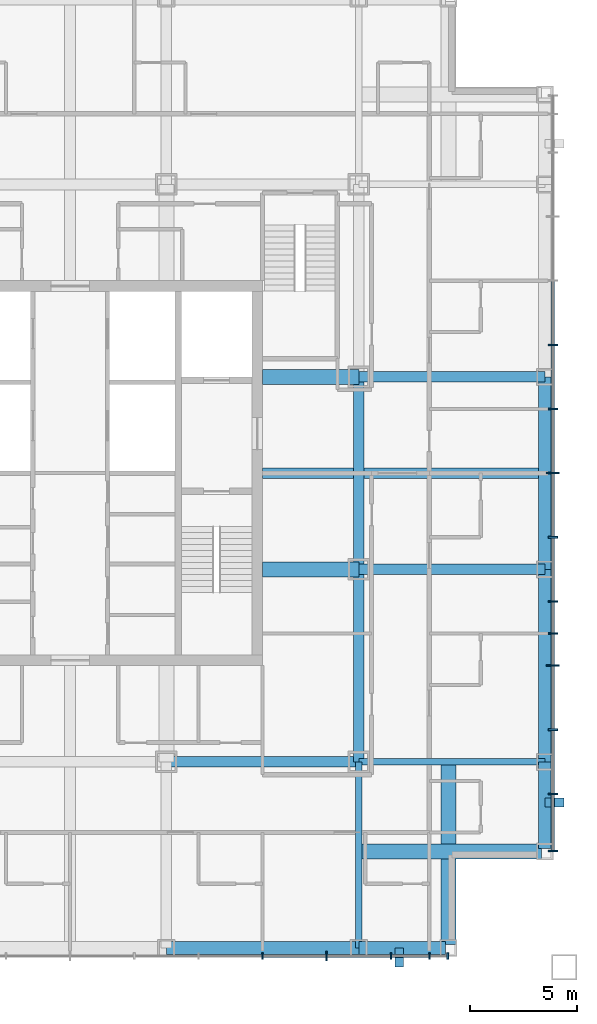
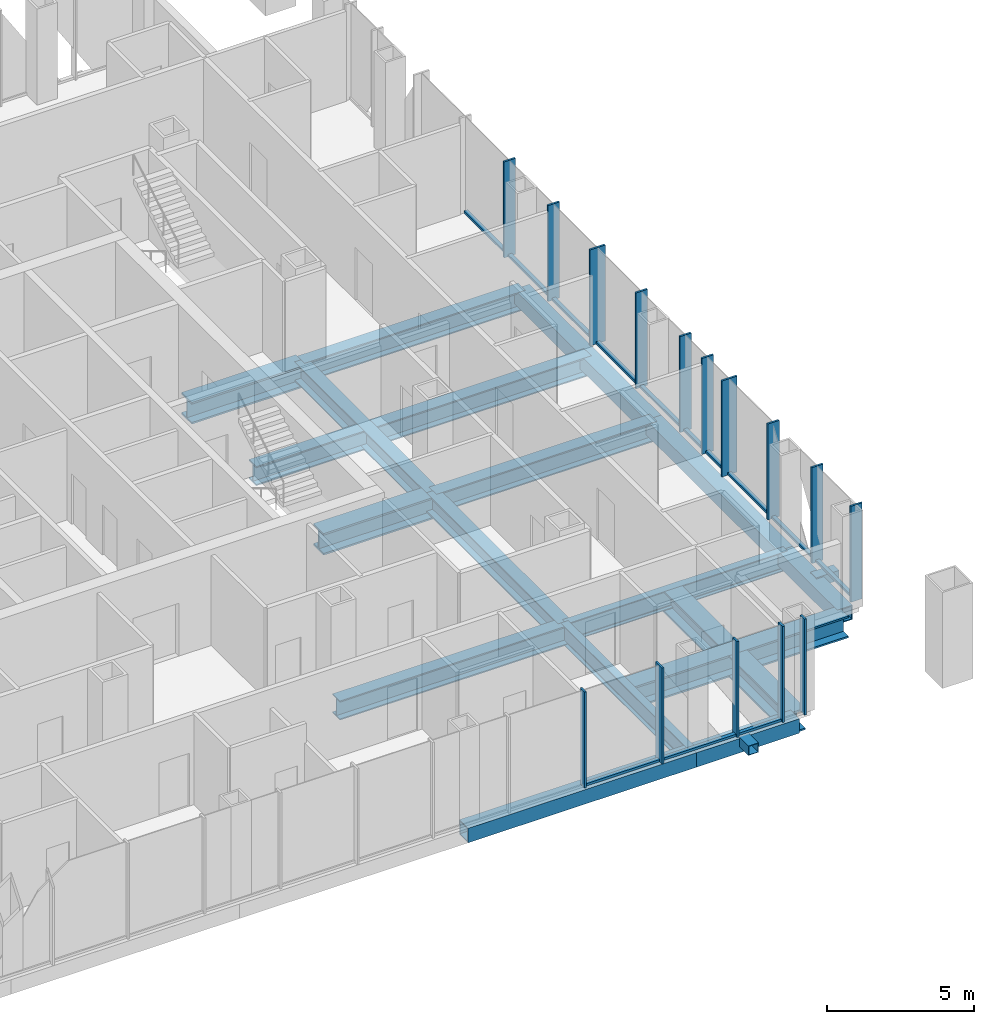
# One storey, part 3 of 12: 30 members, 17 beams, 2 elements without a shape of their own.
"""IFC4 building model written with IfcOpenShell, lengths in metres."""

from ifc_helpers import new_model, si_unit, direction, frame, origin, origin_2d, place, context, subcontext, project, spatial, rectangle, hollow_rectangle, i_section, extrude, material, layer, layer_set, material_profile, profile_set, type_object, element, aggregate, save


model = new_model("IFC4")

# Units and contexts
model_context = context("Model", 3, precision=1e-05, world=origin(), true_north=direction((0.0, 1.0)))
body_context = subcontext(model_context, "Body", "Model", "MODEL_VIEW")
ifc_project = project(units=[si_unit("LENGTHUNIT", "METRE"), si_unit("AREAUNIT", "SQUARE_METRE"), si_unit("VOLUMEUNIT", "CUBIC_METRE"), si_unit("PLANEANGLEUNIT", "RADIAN"), si_unit("MASSUNIT", "GRAM", prefix="KILO")], contexts=[model_context])

# Site, building, storey
site_placement = place(None, origin())
site = spatial("IfcSite", under=ifc_project, at=site_placement, CompositionType="ELEMENT")
building_placement = place(site_placement, origin())
building = spatial("IfcBuilding", under=site, at=building_placement, Name="Malebo Sky Hospital", CompositionType="ELEMENT")
storey_placement = place(building_placement, frame((0.0, 0.0, 221.0)))
storey = spatial("IfcBuildingStorey", under=building, at=storey_placement, Name="L53", CompositionType="ELEMENT", Elevation=221.0)

# Curtain wall, members
ifc_material_1 = material(Name="Anodised aluminium, natural silver", Category="aluminium")
ifc_layer_1 = layer(ifc_material_1, 0.25)
ifc_layer_set_1 = layer_set([ifc_layer_1], Name="WARD CURTAIN WALL NORTH AND SOUTH")
curtain_wall_type_1 = type_object("IfcCurtainWallType", Name="WARD CURTAIN WALL NORTH AND SOUTH", PredefinedType="NOTDEFINED", material=ifc_layer_set_1)
curtain_wall_1_placement = place(storey_placement, origin())
curtain_wall_1 = element("IfcCurtainWall", 1, at=curtain_wall_1_placement, inside=storey, type_object=curtain_wall_type_1, Name="NS curtain wall S", PredefinedType="NOTDEFINED")
ifc_material_profile_1 = material_profile(ifc_material_1, rectangle(XDim=0.14990234375, YDim=0.10009765625, at=origin_2d()), Name="ALUMINIUM TRANSOM 150x100")
ifc_profile_set_1 = profile_set([ifc_material_profile_1], Name="Anodised aluminium, natural silver")
member_type_1 = type_object("IfcMemberType", Name="ALUMINIUM TRANSOM 150x100", PredefinedType="USERDEFINED", material=ifc_profile_set_1)
member_1_placement = place(storey_placement, frame((76.762451171875, 39.425048828125, 0.050048828125), z_axis=(-1.0, 0.0, 0.0), x_axis=(0.0, -1.0, 0.0)))
member_1 = element("IfcMember", 2, at=member_1_placement, type_object=member_type_1, Name="Transom 2", ObjectType="TRANSOM", PredefinedType="USERDEFINED", context=body_context, shape_type="SweptSolid", body=[
    extrude(rectangle(XDim=0.14990234375, YDim=0.10009765625, at=origin_2d()), origin(), (0.0, 0.0, 1.0), 1.724853515625),
])
member_2_placement = place(storey_placement, frame((74.96240234375, 39.425048828125, 0.050048828125), z_axis=(-1.0, 0.0, 0.0), x_axis=(0.0, -1.0, 0.0)))
member_2 = element("IfcMember", 3, at=member_2_placement, type_object=member_type_1, Name="Transom 3", ObjectType="TRANSOM", PredefinedType="USERDEFINED", context=body_context, shape_type="SweptSolid", body=[
    extrude(rectangle(XDim=0.14990234375, YDim=0.10009765625, at=origin_2d()), origin(), (0.0, 0.0, 1.0), 2.9248046875),
])
member_3_placement = place(storey_placement, frame((71.96240234375, 39.425048828125, 0.050048828125), z_axis=(-1.0, 0.0, 0.0), x_axis=(0.0, -1.0, 0.0)))
member_3 = element("IfcMember", 4, at=member_3_placement, type_object=member_type_1, Name="Transom 4", ObjectType="TRANSOM", PredefinedType="USERDEFINED", context=body_context, shape_type="SweptSolid", body=[
    extrude(rectangle(XDim=0.14990234375, YDim=0.10009765625, at=origin_2d()), origin(), (0.0, 0.0, 1.0), 2.9248046875),
])

ifc_layer_2 = layer(ifc_material_1, 0.25)
ifc_layer_set_2 = layer_set([ifc_layer_2], Name="WARD CURTAIN WALL EAST AND WEST")
curtain_wall_type_2 = type_object("IfcCurtainWallType", Name="WARD CURTAIN WALL EAST AND WEST", PredefinedType="NOTDEFINED", material=ifc_layer_set_2)
curtain_wall_2_placement = place(storey_placement, origin())
curtain_wall_2 = element("IfcCurtainWall", 5, at=curtain_wall_2_placement, inside=storey, type_object=curtain_wall_type_2, Name="EW curtain wall E", PredefinedType="NOTDEFINED")
member_4_placement = place(storey_placement, frame((82.574951171875, 70.96240234375, 0.050048828125), z_axis=(0.0, -1.0, 0.0), x_axis=(1.0, 0.0, 0.0)))
member_4 = element("IfcMember", 6, at=member_4_placement, type_object=member_type_1, Name="Transom 5", ObjectType="TRANSOM", PredefinedType="USERDEFINED", context=body_context, shape_type="SweptSolid", body=[
    extrude(rectangle(XDim=0.14990234375, YDim=0.10009765625, at=origin_2d()), origin(), (0.0, 0.0, 1.0), 2.9248046875),
])
member_5_placement = place(storey_placement, frame((82.574951171875, 67.96240234375, 0.050048828125), z_axis=(0.0, -1.0, 0.0), x_axis=(1.0, 0.0, 0.0)))
member_5 = element("IfcMember", 7, at=member_5_placement, type_object=member_type_1, Name="Transom 6", ObjectType="TRANSOM", PredefinedType="USERDEFINED", context=body_context, shape_type="SweptSolid", body=[
    extrude(rectangle(XDim=0.14990234375, YDim=0.10009765625, at=origin_2d()), origin(), (0.0, 0.0, 1.0), 2.9248046875),
])
member_6_placement = place(storey_placement, frame((82.574951171875, 64.96240234375, 0.050048828125), z_axis=(0.0, -1.0, 0.0), x_axis=(1.0, 0.0, 0.0)))
member_6 = element("IfcMember", 8, at=member_6_placement, type_object=member_type_1, Name="Transom 7", ObjectType="TRANSOM", PredefinedType="USERDEFINED", context=body_context, shape_type="SweptSolid", body=[
    extrude(rectangle(XDim=0.14990234375, YDim=0.10009765625, at=origin_2d()), origin(), (0.0, 0.0, 1.0), 2.9248046875),
])
member_7_placement = place(storey_placement, frame((82.574951171875, 61.96240234375, 0.050048828125), z_axis=(0.0, -1.0, 0.0), x_axis=(1.0, 0.0, 0.0)))
member_7 = element("IfcMember", 9, at=member_7_placement, type_object=member_type_1, Name="Transom 8", ObjectType="TRANSOM", PredefinedType="USERDEFINED", context=body_context, shape_type="SweptSolid", body=[
    extrude(rectangle(XDim=0.14990234375, YDim=0.10009765625, at=origin_2d()), origin(), (0.0, 0.0, 1.0), 2.9248046875),
])
member_8_placement = place(storey_placement, frame((82.574951171875, 58.96240234375, 0.050048828125), z_axis=(0.0, -1.0, 0.0), x_axis=(1.0, 0.0, 0.0)))
member_8 = element("IfcMember", 10, at=member_8_placement, type_object=member_type_1, Name="Transom 9", ObjectType="TRANSOM", PredefinedType="USERDEFINED", context=body_context, shape_type="SweptSolid", body=[
    extrude(rectangle(XDim=0.14990234375, YDim=0.10009765625, at=origin_2d()), origin(), (0.0, 0.0, 1.0), 2.9248046875),
])
member_9_placement = place(storey_placement, frame((82.574951171875, 55.96240234375, 0.050048828125), z_axis=(0.0, -1.0, 0.0), x_axis=(1.0, 0.0, 0.0)))
member_9 = element("IfcMember", 11, at=member_9_placement, type_object=member_type_1, Name="Transom 10", ObjectType="TRANSOM", PredefinedType="USERDEFINED", context=body_context, shape_type="SweptSolid", body=[
    extrude(rectangle(XDim=0.14990234375, YDim=0.10009765625, at=origin_2d()), origin(), (0.0, 0.0, 1.0), 1.4248046875),
])
member_10_placement = place(storey_placement, frame((82.574951171875, 54.46240234375, 0.050048828125), z_axis=(0.0, -1.0, 0.0), x_axis=(1.0, 0.0, 0.0)))
member_10 = element("IfcMember", 12, at=member_10_placement, type_object=member_type_1, Name="Transom 11", ObjectType="TRANSOM", PredefinedType="USERDEFINED", context=body_context, shape_type="SweptSolid", body=[
    extrude(rectangle(XDim=0.14990234375, YDim=0.10009765625, at=origin_2d()), origin(), (0.0, 0.0, 1.0), 1.4248046875),
])
member_11_placement = place(storey_placement, frame((82.574951171875, 52.96240234375, 0.050048828125), z_axis=(0.0, -1.0, 0.0), x_axis=(1.0, 0.0, 0.0)))
member_11 = element("IfcMember", 13, at=member_11_placement, type_object=member_type_1, Name="Transom 12", ObjectType="TRANSOM", PredefinedType="USERDEFINED", context=body_context, shape_type="SweptSolid", body=[
    extrude(rectangle(XDim=0.14990234375, YDim=0.10009765625, at=origin_2d()), origin(), (0.0, 0.0, 1.0), 2.9248046875),
])
member_12_placement = place(storey_placement, frame((82.574951171875, 49.96240234375, 0.050048828125), z_axis=(0.0, -1.0, 0.0), x_axis=(1.0, 0.0, 0.0)))
member_12 = element("IfcMember", 14, at=member_12_placement, type_object=member_type_1, Name="Transom 13", ObjectType="TRANSOM", PredefinedType="USERDEFINED", context=body_context, shape_type="SweptSolid", body=[
    extrude(rectangle(XDim=0.14990234375, YDim=0.10009765625, at=origin_2d()), origin(), (0.0, 0.0, 1.0), 2.9248046875),
])
member_13_placement = place(storey_placement, frame((82.574951171875, 46.96240234375, 0.050048828125), z_axis=(0.0, -1.0, 0.0), x_axis=(1.0, 0.0, 0.0)))
member_13 = element("IfcMember", 15, at=member_13_placement, type_object=member_type_1, Name="Transom 14", ObjectType="TRANSOM", PredefinedType="USERDEFINED", context=body_context, shape_type="SweptSolid", body=[
    extrude(rectangle(XDim=0.14990234375, YDim=0.10009765625, at=origin_2d()), origin(), (0.0, 0.0, 1.0), 2.58740234375),
])

# Members
ifc_material_2 = material(Name="Steel S355", Category="steel")
ifc_material_profile_2 = material_profile(ifc_material_2, hollow_rectangle(XDim=0.39990234375, YDim=0.39990234375, WallThickness=0.02001953125, at=origin_2d()), Name="SHS 400x20")
ifc_profile_set_2 = profile_set([ifc_material_profile_2], Name="Steel S355")
member_type_2 = type_object("IfcMemberType", Name="BRACE STRUT SHS 400x20", PredefinedType="STRUT", material=ifc_profile_set_2)
for number, where, z_axis, x_axis, name in (
    (16, (75.39990234375, 38.89990234375, -0.39990234375), (0.0, 1.0, 0.0), (-1.0, 0.0, 0.0), "Brace strut CS2 L53"),
    (17, (83.10009765625, 46.60009765625, -0.39990234375), (-1.0, 0.0, 0.0), (0.0, -1.0, 0.0), "Brace strut CE1 L53"),
):
    element("IfcMember", number, at=place(storey_placement, frame(where, z_axis=z_axis, x_axis=x_axis)), inside=storey, type_object=member_type_2, Name=name, PredefinedType="STRUT", context=body_context, shape_type="SweptSolid", body=[
        extrude(hollow_rectangle(XDim=0.39990234375, YDim=0.39990234375, WallThickness=0.02001953125, at=origin_2d()), origin(), (0.0, 0.0, 1.0), 0.900146484375),
    ])

# Member
ifc_material_profile_3 = material_profile(ifc_material_1, rectangle(XDim=0.074951171875, YDim=0.300048828125, at=origin_2d()), Name="CW1 ALUMINIUM FIN MULLION 75x300")
ifc_profile_set_3 = profile_set([ifc_material_profile_3], Name="Anodised aluminium, natural silver")
member_type_3 = type_object("IfcMemberType", Name="CW1 ALUMINIUM FIN MULLION 75x300", PredefinedType="MULLION", material=ifc_profile_set_3)
member_14_placement = place(storey_placement, frame((77.66259765625, 39.425048828125, 0.0), z_axis=(0.0, 0.0, 1.0), x_axis=(-1.0, 0.0, 0.0)))
member_14 = element("IfcMember", 18, at=member_14_placement, type_object=member_type_3, Name="Fin mullion 1", PredefinedType="MULLION", context=body_context, shape_type="SweptSolid", body=[
    extrude(rectangle(XDim=0.074951171875, YDim=0.300048828125, at=origin_2d()), origin(), (0.0, 0.0, 1.0), 4.0),
])

member_15_placement = place(storey_placement, frame((76.800048828125, 39.425048828125, 0.0), z_axis=(0.0, 0.0, 1.0), x_axis=(-1.0, 0.0, 0.0)))
member_15 = element("IfcMember", 19, at=member_15_placement, type_object=member_type_3, Name="Fin mullion 2", PredefinedType="MULLION", context=body_context, shape_type="SweptSolid", body=[
    extrude(rectangle(XDim=0.074951171875, YDim=0.300048828125, at=origin_2d()), origin(), (0.0, 0.0, 1.0), 4.0),
])

member_16_placement = place(storey_placement, frame((75.0, 39.425048828125, 0.0), z_axis=(0.0, 0.0, 1.0), x_axis=(-1.0, 0.0, 0.0)))
member_16 = element("IfcMember", 20, at=member_16_placement, type_object=member_type_3, Name="Fin mullion 3", PredefinedType="MULLION", context=body_context, shape_type="SweptSolid", body=[
    extrude(rectangle(XDim=0.074951171875, YDim=0.300048828125, at=origin_2d()), origin(), (0.0, 0.0, 1.0), 4.0),
])

member_17_placement = place(storey_placement, frame((69.0, 39.425048828125, 0.0), z_axis=(0.0, 0.0, 1.0), x_axis=(-1.0, 0.0, 0.0)))
member_17 = element("IfcMember", 21, at=member_17_placement, type_object=member_type_3, Name="Fin mullion 5", PredefinedType="MULLION", context=body_context, shape_type="SweptSolid", body=[
    extrude(rectangle(XDim=0.074951171875, YDim=0.300048828125, at=origin_2d()), origin(), (0.0, 0.0, 1.0), 4.0),
])

ifc_material_profile_4 = material_profile(ifc_material_1, rectangle(XDim=0.074951171875, YDim=0.449951171875, at=origin_2d()), Name="CW1 ALUMINIUM FIN MULLION 75x450")
ifc_profile_set_4 = profile_set([ifc_material_profile_4], Name="Anodised aluminium, natural silver")
member_type_4 = type_object("IfcMemberType", Name="CW1 ALUMINIUM FIN MULLION 75x450", PredefinedType="MULLION", material=ifc_profile_set_4)
member_18_placement = place(storey_placement, frame((72.0, 39.425048828125, 0.0), z_axis=(0.0, 0.0, 1.0), x_axis=(-1.0, 0.0, 0.0)))
member_18 = element("IfcMember", 22, at=member_18_placement, type_object=member_type_4, Name="Fin mullion 4", PredefinedType="MULLION", context=body_context, shape_type="SweptSolid", body=[
    extrude(rectangle(XDim=0.074951171875, YDim=0.449951171875, at=origin_2d()), origin(), (0.0, 0.0, 1.0), 4.0),
])

aggregate(curtain_wall_1, [member_14, member_15, member_16, member_18, member_17, member_1, member_2, member_3])

ifc_material_profile_5 = material_profile(ifc_material_1, rectangle(XDim=0.074951171875, YDim=0.449951171875, at=origin_2d()), Name="CW2 ALUMINIUM FIN MULLION 75x450")
ifc_profile_set_5 = profile_set([ifc_material_profile_5], Name="Anodised aluminium, natural silver")
member_type_5 = type_object("IfcMemberType", Name="CW2 ALUMINIUM FIN MULLION 75x450", PredefinedType="MULLION", material=ifc_profile_set_5)
member_19_placement = place(storey_placement, frame((82.574951171875, 68.0, 0.0), z_axis=(0.0, 0.0, 1.0), x_axis=(0.0, -1.0, 0.0)))
member_19 = element("IfcMember", 23, at=member_19_placement, type_object=member_type_5, Name="Fin mullion 6", PredefinedType="MULLION", context=body_context, shape_type="SweptSolid", body=[
    extrude(rectangle(XDim=0.074951171875, YDim=0.449951171875, at=origin_2d()), origin(), (0.0, 0.0, 1.0), 4.0),
])

member_20_placement = place(storey_placement, frame((82.574951171875, 65.0, 0.0), z_axis=(0.0, 0.0, 1.0), x_axis=(0.0, -1.0, 0.0)))
member_20 = element("IfcMember", 24, at=member_20_placement, type_object=member_type_5, Name="Fin mullion 7", PredefinedType="MULLION", context=body_context, shape_type="SweptSolid", body=[
    extrude(rectangle(XDim=0.074951171875, YDim=0.449951171875, at=origin_2d()), origin(), (0.0, 0.0, 1.0), 4.0),
])

member_21_placement = place(storey_placement, frame((82.574951171875, 59.0, 0.0), z_axis=(0.0, 0.0, 1.0), x_axis=(0.0, -1.0, 0.0)))
member_21 = element("IfcMember", 25, at=member_21_placement, type_object=member_type_5, Name="Fin mullion 9", PredefinedType="MULLION", context=body_context, shape_type="SweptSolid", body=[
    extrude(rectangle(XDim=0.074951171875, YDim=0.449951171875, at=origin_2d()), origin(), (0.0, 0.0, 1.0), 4.0),
])

member_22_placement = place(storey_placement, frame((82.574951171875, 56.0, 0.0), z_axis=(0.0, 0.0, 1.0), x_axis=(0.0, -1.0, 0.0)))
member_22 = element("IfcMember", 26, at=member_22_placement, type_object=member_type_5, Name="Fin mullion 10", PredefinedType="MULLION", context=body_context, shape_type="SweptSolid", body=[
    extrude(rectangle(XDim=0.074951171875, YDim=0.449951171875, at=origin_2d()), origin(), (0.0, 0.0, 1.0), 4.0),
])

member_23_placement = place(storey_placement, frame((82.574951171875, 54.5, 0.0), z_axis=(0.0, 0.0, 1.0), x_axis=(0.0, -1.0, 0.0)))
member_23 = element("IfcMember", 27, at=member_23_placement, type_object=member_type_5, Name="Fin mullion 11", PredefinedType="MULLION", context=body_context, shape_type="SweptSolid", body=[
    extrude(rectangle(XDim=0.074951171875, YDim=0.449951171875, at=origin_2d()), origin(), (0.0, 0.0, 1.0), 4.0),
])

member_24_placement = place(storey_placement, frame((82.574951171875, 50.0, 0.0), z_axis=(0.0, 0.0, 1.0), x_axis=(0.0, -1.0, 0.0)))
member_24 = element("IfcMember", 28, at=member_24_placement, type_object=member_type_5, Name="Fin mullion 13", PredefinedType="MULLION", context=body_context, shape_type="SweptSolid", body=[
    extrude(rectangle(XDim=0.074951171875, YDim=0.449951171875, at=origin_2d()), origin(), (0.0, 0.0, 1.0), 4.0),
])

member_25_placement = place(storey_placement, frame((82.574951171875, 47.0, 0.0), z_axis=(0.0, 0.0, 1.0), x_axis=(0.0, -1.0, 0.0)))
member_25 = element("IfcMember", 29, at=member_25_placement, type_object=member_type_5, Name="Fin mullion 14", PredefinedType="MULLION", context=body_context, shape_type="SweptSolid", body=[
    extrude(rectangle(XDim=0.074951171875, YDim=0.449951171875, at=origin_2d()), origin(), (0.0, 0.0, 1.0), 4.0),
])

member_26_placement = place(storey_placement, frame((82.574951171875, 44.33740234375, 0.0), z_axis=(0.0, 0.0, 1.0), x_axis=(0.0, -1.0, 0.0)))
member_26 = element("IfcMember", 30, at=member_26_placement, type_object=member_type_5, Name="Fin mullion 15", PredefinedType="MULLION", context=body_context, shape_type="SweptSolid", body=[
    extrude(rectangle(XDim=0.074951171875, YDim=0.449951171875, at=origin_2d()), origin(), (0.0, 0.0, 1.0), 4.0),
])

ifc_material_profile_6 = material_profile(ifc_material_1, rectangle(XDim=0.074951171875, YDim=0.60009765625, at=origin_2d()), Name="CW2 ALUMINIUM FIN MULLION 75x600")
ifc_profile_set_6 = profile_set([ifc_material_profile_6], Name="Anodised aluminium, natural silver")
member_type_6 = type_object("IfcMemberType", Name="CW2 ALUMINIUM FIN MULLION 75x600", PredefinedType="MULLION", material=ifc_profile_set_6)
member_27_placement = place(storey_placement, frame((82.574951171875, 62.0, 0.0), z_axis=(0.0, 0.0, 1.0), x_axis=(0.0, -1.0, 0.0)))
member_27 = element("IfcMember", 31, at=member_27_placement, type_object=member_type_6, Name="Fin mullion 8", PredefinedType="MULLION", context=body_context, shape_type="SweptSolid", body=[
    extrude(rectangle(XDim=0.074951171875, YDim=0.60009765625, at=origin_2d()), origin(), (0.0, 0.0, 1.0), 4.0),
])

member_28_placement = place(storey_placement, frame((82.574951171875, 53.0, 0.0), z_axis=(0.0, 0.0, 1.0), x_axis=(0.0, -1.0, 0.0)))
member_28 = element("IfcMember", 32, at=member_28_placement, type_object=member_type_6, Name="Fin mullion 12", PredefinedType="MULLION", context=body_context, shape_type="SweptSolid", body=[
    extrude(rectangle(XDim=0.074951171875, YDim=0.60009765625, at=origin_2d()), origin(), (0.0, 0.0, 1.0), 4.0),
])

aggregate(curtain_wall_2, [member_19, member_20, member_27, member_21, member_22, member_23, member_28, member_24, member_25, member_26, member_4, member_5, member_6, member_7, member_8, member_9, member_10, member_11, member_12, member_13])

# Beams
ifc_material_3 = material(Name="Steel S460", Category="steel")
ifc_material_profile_7 = material_profile(ifc_material_3, hollow_rectangle(XDim=0.60009765625, YDim=0.60009765625, WallThickness=0.0400390625, at=origin_2d()), Name="BOX 600x600x40")
ifc_profile_set_7 = profile_set([ifc_material_profile_7], Name="Steel S460")
beam_type_1 = type_object("IfcBeamType", Name="EDGE BEAM BOX 600x600x40", PredefinedType="BEAM", material=ifc_profile_set_7)
beam_1_placement = place(storey_placement, frame((82.199951171875, 44.449951171875, -0.550048828125), z_axis=(0.0, 1.0, 0.0), x_axis=(-1.0, 0.0, 0.0)))
element("IfcBeam", 33, at=beam_1_placement, inside=storey, type_object=beam_type_1, Name="Beam 029 L53", PredefinedType="BEAM", context=body_context, shape_type="SweptSolid", body=[
    extrude(hollow_rectangle(XDim=0.60009765625, YDim=0.60009765625, WallThickness=0.0400390625, at=origin_2d()), origin(), (0.0, 0.0, 1.0), 4.050048828125),
])
for number, where, z_axis, x_axis, name in (
    (34, (82.199951171875, 48.5, -0.550048828125), (0.0, 1.0, 0.0), (-1.0, 0.0, 0.0), "Beam 030 L53"),
    (35, (82.199951171875, 57.5, -0.550048828125), (0.0, 1.0, 0.0), (-1.0, 0.0, 0.0), "Beam 031 L53"),
    (36, (64.5, 39.800048828125, -0.550048828125), (1.0, 0.0, 0.0), (0.0, 1.0, 0.0), "Beam 037 L53"),
):
    element("IfcBeam", number, at=place(storey_placement, frame(where, z_axis=z_axis, x_axis=x_axis)), inside=storey, type_object=beam_type_1, Name=name, PredefinedType="BEAM", context=body_context, shape_type="SweptSolid", body=[
        extrude(hollow_rectangle(XDim=0.60009765625, YDim=0.60009765625, WallThickness=0.0400390625, at=origin_2d()), origin(), (0.0, 0.0, 1.0), 9.0),
    ])
beam_2_placement = place(storey_placement, frame((73.5, 39.800048828125, -0.550048828125), z_axis=(1.0, 0.0, 0.0), x_axis=(0.0, 1.0, 0.0)))
element("IfcBeam", 37, at=beam_2_placement, inside=storey, type_object=beam_type_1, Name="Beam 038 L53", PredefinedType="BEAM", context=body_context, shape_type="SweptSolid", body=[
    extrude(hollow_rectangle(XDim=0.60009765625, YDim=0.60009765625, WallThickness=0.0400390625, at=origin_2d()), origin(), (0.0, 0.0, 1.0), 4.050048828125),
])
ifc_material_profile_8 = material_profile(ifc_material_2, i_section(OverallWidth=0.5, OverallDepth=0.800048828125, WebThickness=0.030029296875, FlangeThickness=0.050048828125, at=origin_2d()), Name="PG 800x500x30x50")
ifc_profile_set_8 = profile_set([ifc_material_profile_8], Name="Steel S355")
beam_type_2 = type_object("IfcBeamType", Name="FLOOR BEAM PG 800x500x30x50", PredefinedType="BEAM", material=ifc_profile_set_8)
for number, where, z_axis, x_axis, name in (
    (38, (73.5, 48.5, -0.64990234375), (0.0, 1.0, 0.0), (-1.0, 0.0, 0.0), "Beam 023 L53"),
    (39, (64.5, 48.5, -0.64990234375), (1.0, 0.0, 0.0), (0.0, 1.0, 0.0), "Beam 044 L53"),
):
    element("IfcBeam", number, at=place(storey_placement, frame(where, z_axis=z_axis, x_axis=x_axis)), inside=storey, type_object=beam_type_2, Name=name, PredefinedType="BEAM", context=body_context, shape_type="SweptSolid", body=[
        extrude(i_section(OverallWidth=0.5, OverallDepth=0.800048828125, WebThickness=0.030029296875, FlangeThickness=0.050048828125, at=origin_2d()), origin(), (0.0, 0.0, 1.0), 9.0),
    ])
beam_3_placement = place(storey_placement, frame((73.5, 57.5, -0.64990234375), z_axis=(1.0, 0.0, 0.0), x_axis=(0.0, 1.0, 0.0)))
element("IfcBeam", 40, at=beam_3_placement, inside=storey, type_object=beam_type_2, Name="Beam 049 L53", PredefinedType="BEAM", context=body_context, shape_type="SweptSolid", body=[
    extrude(i_section(OverallWidth=0.5, OverallDepth=0.800048828125, WebThickness=0.030029296875, FlangeThickness=0.050048828125, at=origin_2d()), origin(), (0.0, 0.0, 1.0), 8.699951171875),
])
beam_4_placement = place(storey_placement, frame((69.0, 62.0, -0.64990234375), z_axis=(1.0, 0.0, 0.0), x_axis=(0.0, 1.0, 0.0)))
element("IfcBeam", 41, at=beam_4_placement, inside=storey, type_object=beam_type_2, Name="Beam 051 L53", PredefinedType="BEAM", context=body_context, shape_type="SweptSolid", body=[
    extrude(i_section(OverallWidth=0.5, OverallDepth=0.800048828125, WebThickness=0.030029296875, FlangeThickness=0.050048828125, at=origin_2d()), origin(), (0.0, 0.0, 1.0), 13.199951171875),
])
beam_5_placement = place(storey_placement, frame((73.5, 66.5, -0.64990234375), z_axis=(1.0, 0.0, 0.0), x_axis=(0.0, 1.0, 0.0)))
element("IfcBeam", 42, at=beam_5_placement, inside=storey, type_object=beam_type_2, Name="Beam 055 L53", PredefinedType="BEAM", context=body_context, shape_type="SweptSolid", body=[
    extrude(i_section(OverallWidth=0.5, OverallDepth=0.800048828125, WebThickness=0.030029296875, FlangeThickness=0.050048828125, at=origin_2d()), origin(), (0.0, 0.0, 1.0), 8.699951171875),
])
ifc_material_profile_9 = material_profile(ifc_material_2, i_section(OverallWidth=0.699951171875, OverallDepth=0.89990234375, WebThickness=0.0400390625, FlangeThickness=0.070068359375, at=origin_2d()), Name="PG 900x700x40x70")
ifc_profile_set_9 = profile_set([ifc_material_profile_9], Name="Steel S355")
beam_type_3 = type_object("IfcBeamType", Name="FLOOR BEAM PG 900x700x40x70", PredefinedType="BEAM", material=ifc_profile_set_9)
for number, where, z_axis, x_axis, name in (
    (43, (77.699951171875, 39.949951171875, -0.699951171875), (0.0, 1.0, 0.0), (-1.0, 0.0, 0.0), "Beam 027 L53"),
    (44, (73.5, 44.300048828125, -0.699951171875), (1.0, 0.0, 0.0), (0.0, 1.0, 0.0), "Beam 040 L53"),
):
    element("IfcBeam", number, at=place(storey_placement, frame(where, z_axis=z_axis, x_axis=x_axis)), inside=storey, type_object=beam_type_3, Name=name, PredefinedType="BEAM", context=body_context, shape_type="SweptSolid", body=[
        extrude(i_section(OverallWidth=0.699951171875, OverallDepth=0.89990234375, WebThickness=0.0400390625, FlangeThickness=0.070068359375, at=origin_2d()), origin(), (0.0, 0.0, 1.0), 8.550048828125),
    ])
for number, where, z_axis, x_axis, name in (
    (45, (69.0, 57.5, -0.699951171875), (1.0, 0.0, 0.0), (0.0, 1.0, 0.0), "Beam 048 L53"),
    (46, (69.0, 66.5, -0.699951171875), (1.0, 0.0, 0.0), (0.0, 1.0, 0.0), "Beam 054 L53"),
):
    element("IfcBeam", number, at=place(storey_placement, frame(where, z_axis=z_axis, x_axis=x_axis)), inside=storey, type_object=beam_type_3, Name=name, PredefinedType="BEAM", context=body_context, shape_type="SweptSolid", body=[
        extrude(i_section(OverallWidth=0.699951171875, OverallDepth=0.89990234375, WebThickness=0.0400390625, FlangeThickness=0.070068359375, at=origin_2d()), origin(), (0.0, 0.0, 1.0), 4.5),
    ])
ifc_material_profile_10 = material_profile(ifc_material_2, i_section(OverallWidth=0.300048828125, OverallDepth=0.800048828125, WebThickness=0.017578125, FlangeThickness=0.032958984375, FilletRadius=0.030029296875, at=origin_2d()), Name="HEB 800")
ifc_profile_set_10 = profile_set([ifc_material_profile_10], Name="Steel S355")
beam_type_4 = type_object("IfcBeamType", Name="FLOOR GIRDER HEB 800", PredefinedType="BEAM", material=ifc_profile_set_10)
for number, where, z_axis, x_axis, name in (
    (47, (73.5, 39.800048828125, -0.64990234375), (0.0, 1.0, 0.0), (-1.0, 0.0, 0.0), "Beam 022 L53"),
    (48, (73.5, 48.5, -0.64990234375), (1.0, 0.0, 0.0), (0.0, 1.0, 0.0), "Beam 045 L53"),
):
    element("IfcBeam", number, at=place(storey_placement, frame(where, z_axis=z_axis, x_axis=x_axis)), inside=storey, type_object=beam_type_4, Name=name, PredefinedType="BEAM", context=body_context, shape_type="SweptSolid", body=[
        extrude(i_section(OverallWidth=0.300048828125, OverallDepth=0.800048828125, WebThickness=0.017578125, FlangeThickness=0.032958984375, FilletRadius=0.030029296875, at=origin_2d()), origin(), (0.0, 0.0, 1.0), 8.699951171875),
    ])
ifc_material_profile_11 = material_profile(ifc_material_2, i_section(OverallWidth=0.5, OverallDepth=0.800048828125, WebThickness=0.030029296875, FlangeThickness=0.050048828125, at=origin_2d()), Name="PG 800x500x30x50")
ifc_profile_set_11 = profile_set([ifc_material_profile_11], Name="Steel S355")
beam_type_5 = type_object("IfcBeamType", Name="RING GIRDER PG 800x500x30x50", PredefinedType="BEAM", material=ifc_profile_set_11)
beam_6_placement = place(storey_placement, frame((73.5, 57.5, -0.64990234375), z_axis=(0.0, 1.0, 0.0), x_axis=(-1.0, 0.0, 0.0)))
element("IfcBeam", 49, at=beam_6_placement, inside=storey, type_object=beam_type_5, Name="Beam 024 L53", PredefinedType="BEAM", context=body_context, shape_type="SweptSolid", body=[
    extrude(i_section(OverallWidth=0.5, OverallDepth=0.800048828125, WebThickness=0.030029296875, FlangeThickness=0.050048828125, at=origin_2d()), origin(), (0.0, 0.0, 1.0), 9.0),
])

save(model, "model.ifc")
